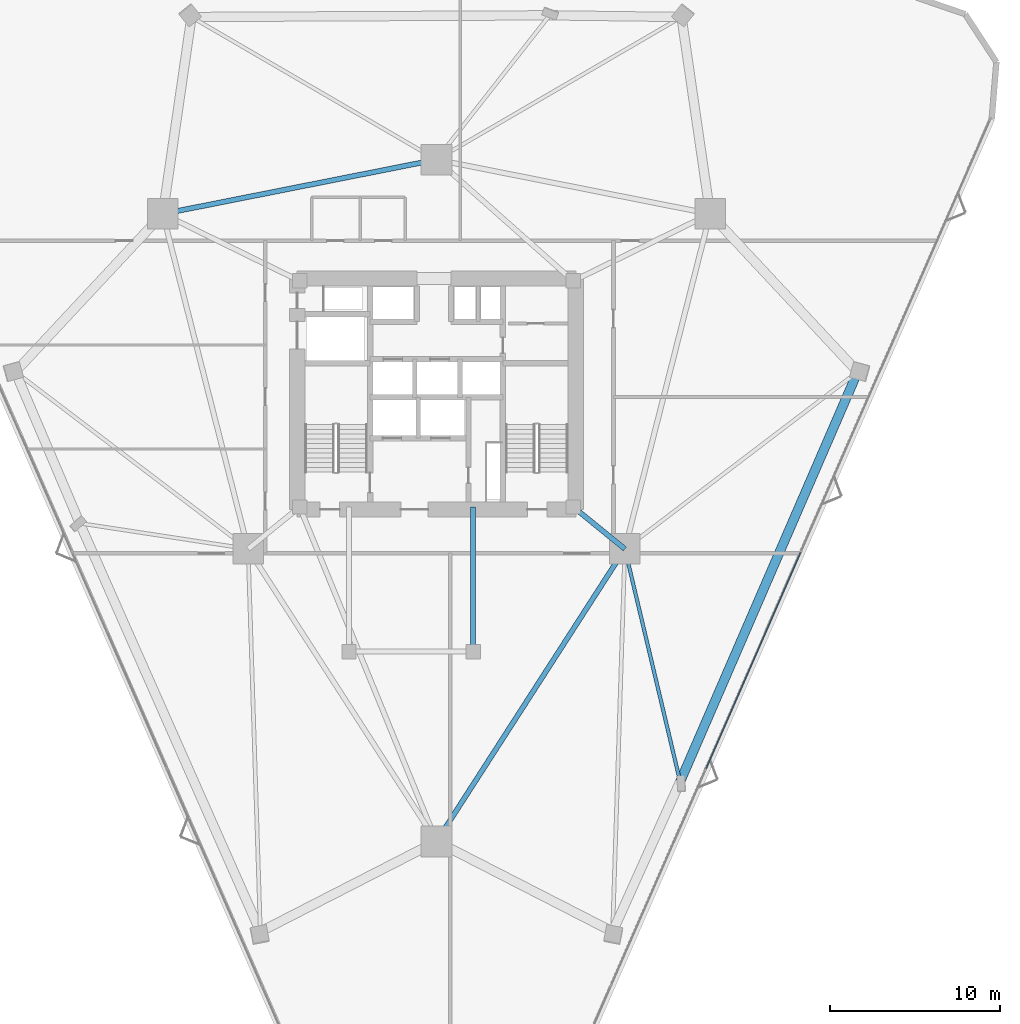
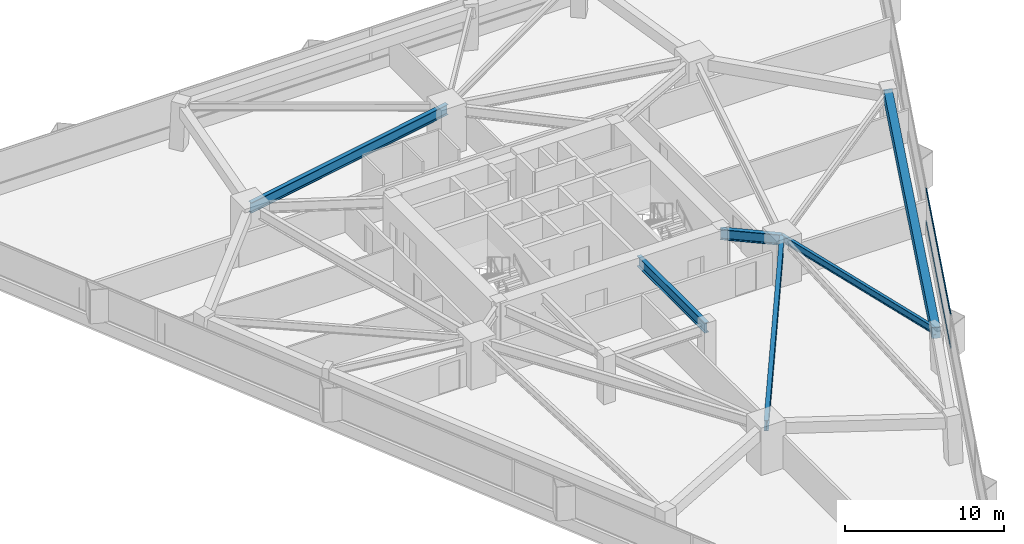
# One storey, part 9 of 20: 6 beams, 2 members, 1 element without a shape of its own.
"""IFC4 building model written with IfcOpenShell, lengths in metres."""

from ifc_helpers import new_model, si_unit, direction, frame, origin, origin_2d, place, context, subcontext, project, spatial, rectangle, i_section, extrude, material, layer, layer_set, material_profile, profile_set, type_object, element, aggregate, save


model = new_model("IFC4")

# Units and contexts
model_context = context("Model", 3, precision=1e-05, world=origin(), true_north=direction((0.0, 1.0)))
body_context = subcontext(model_context, "Body", "Model", "MODEL_VIEW")
ifc_project = project(units=[si_unit("LENGTHUNIT", "METRE"), si_unit("AREAUNIT", "SQUARE_METRE"), si_unit("VOLUMEUNIT", "CUBIC_METRE"), si_unit("PLANEANGLEUNIT", "RADIAN"), si_unit("MASSUNIT", "GRAM", prefix="KILO")], contexts=[model_context])

# Site, building, storey
site_placement = place(None, origin())
site = spatial("IfcSite", under=ifc_project, at=site_placement, CompositionType="ELEMENT")
building_placement = place(site_placement, origin())
building = spatial("IfcBuilding", under=site, at=building_placement, Name="Talyreon Biosciences Tower", CompositionType="ELEMENT")
storey_placement = place(building_placement, frame((0.0, 0.0, 59.300048828125)))
storey = spatial("IfcBuildingStorey", under=building, at=storey_placement, Name="L15", CompositionType="ELEMENT", Elevation=59.300048828125)

# Curtain wall, members
ifc_material_1 = material(Name="Thermally broken aluminium and low-E glazing", Category="aluminium")
ifc_layer = layer(ifc_material_1, 0.195068359375)
ifc_layer_set = layer_set([ifc_layer], Name="Thermally broken aluminium and low-E glazing")
curtain_wall_type = type_object("IfcCurtainWallType", Name="CurtainWall_Zone1WetLab", PredefinedType="NOTDEFINED", material=ifc_layer_set)
curtain_wall_placement = place(storey_placement, origin())
curtain_wall = element("IfcCurtainWall", 1, at=curtain_wall_placement, inside=storey, type_object=curtain_wall_type, Name="L15 Unitised Curtain Wall FCW-L15-08", PredefinedType="NOTDEFINED")
ifc_material_2 = material(Name="Anodised thermally broken aluminium", Category="aluminium")
ifc_material_profile_1 = material_profile(ifc_material_2, rectangle(XDim=0.06494140625, YDim=0.139892578125, at=origin_2d()), Name="ALUM TRANSOM 65x140")
ifc_profile_set_1 = profile_set([ifc_material_profile_1], Name="Anodised thermally broken aluminium")
member_type = type_object("IfcMemberType", Name="CWTransom_65x140", PredefinedType="USERDEFINED", material=ifc_profile_set_1)
member_1_placement = place(storey_placement, frame((87.426513671875, 58.65966796875, 0.842529296875), z_axis=(-0.400962068949, -0.916094656279, 0.0), x_axis=(0.916094656279, -0.400962068949, 0.0)))
member_1 = element("IfcMember", 2, at=member_1_placement, type_object=member_type, Name="CW2 transom 3.1", ObjectType="TRANSOM", PredefinedType="USERDEFINED", context=body_context, shape_type="SweptSolid", body=[
    extrude(rectangle(XDim=0.06494140625, YDim=0.139892578125, at=origin_2d()), origin(), (0.0, 0.0, 1.0), 13.85888671875),
])
member_2_placement = place(storey_placement, frame((87.426513671875, 58.65966796875, 3.342529296875), z_axis=(-0.400962068949, -0.916094656279, 0.0), x_axis=(0.916094656279, -0.400962068949, 0.0)))
member_2 = element("IfcMember", 3, at=member_2_placement, type_object=member_type, Name="CW2 transom 3.2", ObjectType="TRANSOM", PredefinedType="USERDEFINED", context=body_context, shape_type="SweptSolid", body=[
    extrude(rectangle(XDim=0.06494140625, YDim=0.139892578125, at=origin_2d()), origin(), (0.0, 0.0, 1.0), 13.85888671875),
])
aggregate(curtain_wall, [member_1, member_2])

# Beams
ifc_material_3 = material(Name="Precast concrete C45/55", Category="concrete")
ifc_material_profile_2 = material_profile(ifc_material_3, rectangle(XDim=0.550048828125, YDim=0.85009765625, at=origin_2d()), Name="RCB 550x850")
ifc_profile_set_2 = profile_set([ifc_material_profile_2], Name="Precast concrete C45/55")
beam_type_1 = type_object("IfcBeamType", Name="ExpressedSpandrel_550x850", PredefinedType="SPANDREL", material=ifc_profile_set_2)
beam_1_placement = place(storey_placement, frame((80.338134765625, 45.18701171875, 2.949951171875), z_axis=(0.397435882714, 0.917629946728, 0.0), x_axis=(-0.917629946728, 0.397435882714, 0.0)))
element("IfcBeam", 4, at=beam_1_placement, inside=storey, type_object=beam_type_1, Name="L15 Expressed Horizontal Concrete Spandrel 03", PredefinedType="SPANDREL", context=body_context, shape_type="SweptSolid", body=[
    extrude(rectangle(XDim=0.550048828125, YDim=0.85009765625, at=origin_2d()), origin(), (0.0, 0.0, 1.0), 26.280029296875),
])
ifc_material_4 = material(Name="Steel SM355", Category="steel")
ifc_material_profile_3 = material_profile(ifc_material_4, i_section(OverallWidth=0.300048828125, OverallDepth=0.800048828125, WebThickness=0.017578125, FlangeThickness=0.032958984375, FilletRadius=0.030029296875, at=origin_2d()), Name="HE800B")
ifc_profile_set_3 = profile_set([ifc_material_profile_3], Name="Steel SM355")
beam_type_2 = type_object("IfcBeamType", Name="SteelGirder_HE800B", PredefinedType="BEAM", material=ifc_profile_set_3)
beam_2_placement = place(storey_placement, frame((66.0, 41.6669921875, 2.974853515625), z_axis=(0.541463723609, 0.840724114092, 0.0), x_axis=(-0.840724114092, 0.541463723609, 0.0)))
element("IfcBeam", 5, at=beam_2_placement, inside=storey, type_object=beam_type_2, Name="L15 Mega-Ring Girder 1", PredefinedType="BEAM", context=body_context, shape_type="SweptSolid", body=[
    extrude(i_section(OverallWidth=0.300048828125, OverallDepth=0.800048828125, WebThickness=0.017578125, FlangeThickness=0.032958984375, FilletRadius=0.030029296875, at=origin_2d()), origin(), (0.0, 0.0, 1.0), 20.474365234375),
])
beam_3_placement = place(storey_placement, frame((66.0, 81.788818359375, 2.974853515625), z_axis=(-0.980933730698, -0.194342522311, 0.0), x_axis=(0.194342522311, -0.980933730698, 0.0)))
element("IfcBeam", 6, at=beam_3_placement, inside=storey, type_object=beam_type_2, Name="L15 Mega-Ring Girder 4", PredefinedType="BEAM", context=body_context, shape_type="SweptSolid", body=[
    extrude(i_section(OverallWidth=0.300048828125, OverallDepth=0.800048828125, WebThickness=0.017578125, FlangeThickness=0.032958984375, FilletRadius=0.030029296875, at=origin_2d()), origin(), (0.0, 0.0, 1.0), 16.415283203125),
])
beam_4_placement = place(storey_placement, frame((74.050048828125, 61.35009765625, 2.974853515625), z_axis=(0.775755154013, -0.631034025249, 0.0), x_axis=(0.631034025249, 0.775755154013, 0.0)))
element("IfcBeam", 7, at=beam_4_placement, inside=storey, type_object=beam_type_2, Name="L15 Radial Primary Girder 2", PredefinedType="BEAM", context=body_context, shape_type="SweptSolid", body=[
    extrude(i_section(OverallWidth=0.300048828125, OverallDepth=0.800048828125, WebThickness=0.017578125, FlangeThickness=0.032958984375, FilletRadius=0.030029296875, at=origin_2d()), origin(), (0.0, 0.0, 1.0), 3.913818359375),
])
beam_5_placement = place(storey_placement, frame((68.14990234375, 52.840087890625, 2.974853515625), z_axis=(0.0, 1.0, 0.0), x_axis=(-1.0, 0.0, 0.0)))
element("IfcBeam", 8, at=beam_5_placement, inside=storey, type_object=beam_type_2, Name="L15 Crown Shaft Tie Girder E", PredefinedType="BEAM", context=body_context, shape_type="SweptSolid", body=[
    extrude(i_section(OverallWidth=0.300048828125, OverallDepth=0.800048828125, WebThickness=0.017578125, FlangeThickness=0.032958984375, FilletRadius=0.030029296875, at=origin_2d()), origin(), (0.0, 0.0, 1.0), 8.510009765625),
])
ifc_material_profile_4 = material_profile(ifc_material_4, i_section(OverallWidth=0.2099609375, OverallDepth=0.550048828125, WebThickness=0.010986328125, FlangeThickness=0.01708984375, FilletRadius=0.02392578125, at=origin_2d()), Name="IPE550")
ifc_profile_set_4 = profile_set([ifc_material_profile_4], Name="Steel SM355")
beam_type_3 = type_object("IfcBeamType", Name="SteelJoist_IPE550", PredefinedType="JOIST", material=ifc_profile_set_4)
beam_6_placement = place(storey_placement, frame((77.086181640625, 58.88037109375, 3.099853515625), z_axis=(0.23105765236, -0.972940060479, 0.0), x_axis=(0.972940060479, 0.23105765236, 0.0)))
element("IfcBeam", 9, at=beam_6_placement, inside=storey, type_object=beam_type_3, Name="L15 Radial Composite Floor Joist PL-SE", PredefinedType="JOIST", context=body_context, shape_type="SweptSolid", body=[
    extrude(i_section(OverallWidth=0.2099609375, OverallDepth=0.550048828125, WebThickness=0.010986328125, FlangeThickness=0.01708984375, FilletRadius=0.02392578125, at=origin_2d()), origin(), (0.0, 0.0, 1.0), 14.07421875),
])

save(model, "model.ifc")
